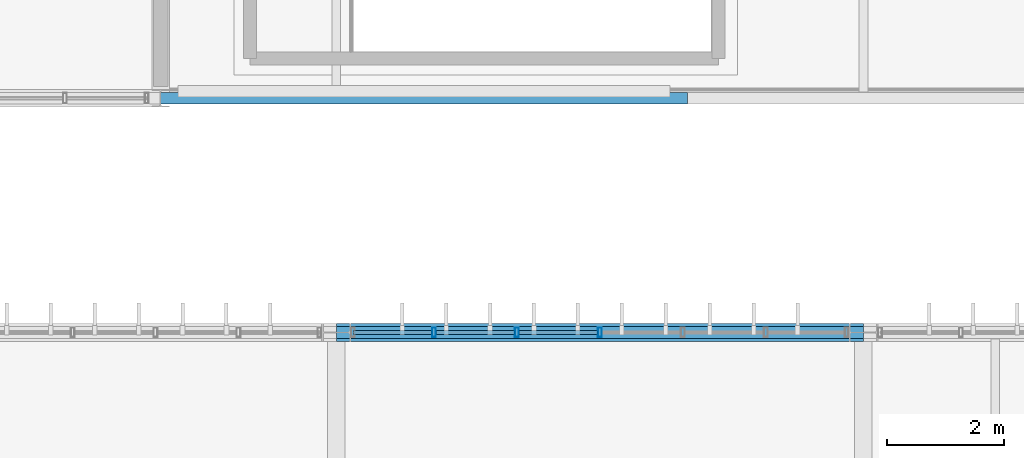
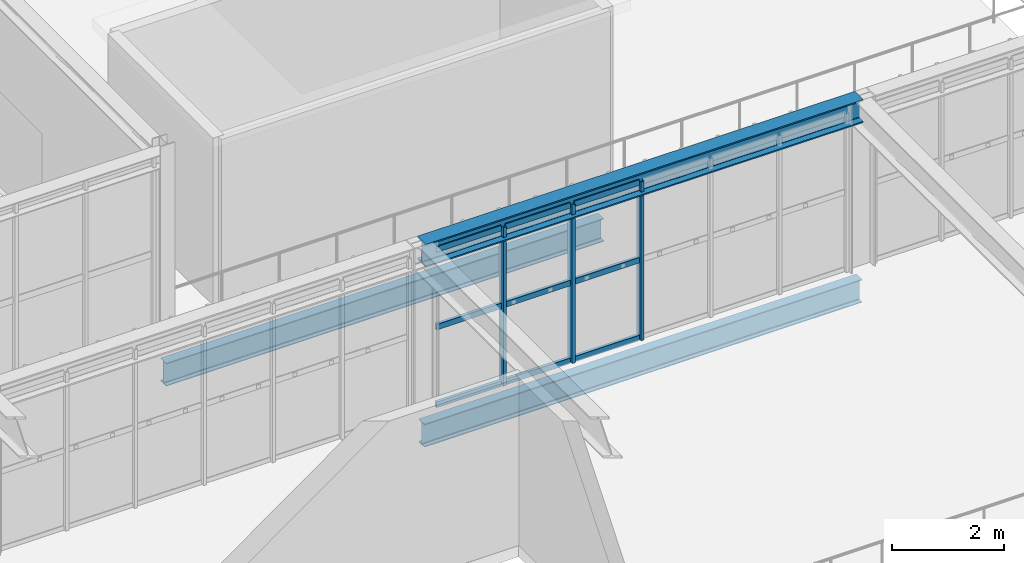
# One storey, part 68 of 152: 12 members, 3 beams, 1 element without a shape of its own.
"""IFC4 building model written with IfcOpenShell, lengths in metres."""

from ifc_helpers import new_model, si_unit, derived_unit, direction, frame, origin, origin_2d, place, context, subcontext, project, spatial, hollow_rectangle, i_section, extrude, material, material_profile, profile_set, type_object, element, aggregate, save


model = new_model("IFC4")

# Units and contexts
model_context = context("Model", 3, precision=1e-05, world=origin(), true_north=direction((0.0, 1.0)))
body_context = subcontext(model_context, "Body", "Model", "MODEL_VIEW")
ifc_project = project(units=[si_unit("LENGTHUNIT", "METRE"), si_unit("AREAUNIT", "SQUARE_METRE"), si_unit("VOLUMEUNIT", "CUBIC_METRE"), si_unit("PLANEANGLEUNIT", "RADIAN"), si_unit("MASSUNIT", "GRAM", prefix="KILO"), si_unit("THERMODYNAMICTEMPERATUREUNIT", "KELVIN"), si_unit("TIMEUNIT", "SECOND"), derived_unit("THERMALTRANSMITTANCEUNIT", [(si_unit("MASSUNIT", "GRAM", prefix="KILO"), 1), (si_unit("THERMODYNAMICTEMPERATUREUNIT", "KELVIN"), -1), (si_unit("TIMEUNIT", "SECOND"), -3)])], contexts=[model_context])

# Site, building, storey
site_placement = place(None, origin())
site = spatial("IfcSite", under=ifc_project, at=site_placement, CompositionType="ELEMENT")
building_placement = place(site_placement, origin())
building = spatial("IfcBuilding", under=site, at=building_placement, Name="Cambertide Market Hall", CompositionType="ELEMENT")
storey_placement = place(building_placement, frame((0.0, 0.0, 5.39990234375)))
storey = spatial("IfcBuildingStorey", under=building, at=storey_placement, Name="L02", CompositionType="ELEMENT", Elevation=5.39990234375)

# Curtain wall, members
ifc_material_1 = material(Name="Marine Anodized Aluminium 6063-T6 AA25", Category="aluminium")
curtain_wall_type = type_object("IfcCurtainWallType", Name="Lantern Straight Upper Curtain Wall", PredefinedType="USERDEFINED", material=ifc_material_1)
curtain_wall_placement = place(storey_placement, origin())
curtain_wall = element("IfcCurtainWall", 1, at=curtain_wall_placement, inside=storey, type_object=curtain_wall_type, Name="Level 2 Curtain Wall CW-V1N-L02-6", ObjectType="UNITIZED CURTAIN WALL", PredefinedType="USERDEFINED")
ifc_material_2 = material(Name="Champagne Marine Anodized Aluminium 6063-T6 AA25", Category="aluminium")
ifc_material_profile_1 = material_profile(ifc_material_2, hollow_rectangle(XDim=0.06494140625, YDim=0.159912109375, WallThickness=0.00341796875, at=origin_2d()), Name="ALU MULLION 65x160")
ifc_profile_set_1 = profile_set([ifc_material_profile_1], Name="Champagne Marine Anodized Aluminium 6063-T6 AA25")
member_type_1 = type_object("IfcMemberType", Name="Curtain Wall Mullion ALU MULLION 65x160", PredefinedType="MULLION", material=ifc_profile_set_1)
member_1_placement = place(storey_placement, frame((88.666748046875, 92.0, 0.0), z_axis=(0.0, 0.0, 1.0), x_axis=(1.0, 0.0, 0.0)))
member_1 = element("IfcMember", 2, at=member_1_placement, type_object=member_type_1, Name="CW-V1N-L02-6 Mullion 2", PredefinedType="MULLION", context=body_context, shape_type="SweptSolid", body=[
    extrude(hollow_rectangle(XDim=0.06494140625, YDim=0.159912109375, WallThickness=0.00341796875, at=origin_2d()), origin(), (0.0, 0.0, 1.0), 3.4501953125),
])
member_2_placement = place(storey_placement, frame((90.083251953125, 92.0, 0.0), z_axis=(0.0, 0.0, 1.0), x_axis=(1.0, 0.0, 0.0)))
member_2 = element("IfcMember", 3, at=member_2_placement, type_object=member_type_1, Name="CW-V1N-L02-6 Mullion 3", PredefinedType="MULLION", context=body_context, shape_type="SweptSolid", body=[
    extrude(hollow_rectangle(XDim=0.06494140625, YDim=0.159912109375, WallThickness=0.00341796875, at=origin_2d()), origin(), (0.0, 0.0, 1.0), 3.4501953125),
])
member_3_placement = place(storey_placement, frame((91.5, 92.0, 0.0), z_axis=(0.0, 0.0, 1.0), x_axis=(1.0, 0.0, 0.0)))
member_3 = element("IfcMember", 4, at=member_3_placement, type_object=member_type_1, Name="CW-V1N-L02-6 Mullion 4", PredefinedType="MULLION", context=body_context, shape_type="SweptSolid", body=[
    extrude(hollow_rectangle(XDim=0.06494140625, YDim=0.159912109375, WallThickness=0.00341796875, at=origin_2d()), origin(), (0.0, 0.0, 1.0), 3.4501953125),
])
ifc_material_3 = material(Name="Champagne Marine Anodized Aluminium 6063-T6 AA25", Category="aluminium")
ifc_material_profile_2 = material_profile(ifc_material_3, hollow_rectangle(XDim=0.06494140625, YDim=0.1201171875, WallThickness=0.003173828125, at=origin_2d()), Name="ALU TRANSOM 65x120")
ifc_profile_set_2 = profile_set([ifc_material_profile_2], Name="Champagne Marine Anodized Aluminium 6063-T6 AA25")
member_type_2 = type_object("IfcMemberType", Name="Curtain Wall Transom ALU TRANSOM 65x120", PredefinedType="USERDEFINED", material=ifc_profile_set_2)
member_4_placement = place(storey_placement, frame((87.2900390625, 92.0, 0.03515625), z_axis=(1.0, 0.0, 0.0), x_axis=(0.0, 1.0, 0.0)))
member_4 = element("IfcMember", 5, at=member_4_placement, type_object=member_type_2, Name="CW-V1N-L02-6 Transom 1-1", ObjectType="TRANSOM", PredefinedType="USERDEFINED", context=body_context, shape_type="SweptSolid", body=[
    extrude(hollow_rectangle(XDim=0.06494140625, YDim=0.1201171875, WallThickness=0.003173828125, at=origin_2d()), origin(), (0.0, 0.0, 1.0), 1.336669921875),
])
member_5_placement = place(storey_placement, frame((88.706787109375, 92.0, 0.03515625), z_axis=(1.0, 0.0, 0.0), x_axis=(0.0, 1.0, 0.0)))
member_5 = element("IfcMember", 6, at=member_5_placement, type_object=member_type_2, Name="CW-V1N-L02-6 Transom 1-2", ObjectType="TRANSOM", PredefinedType="USERDEFINED", context=body_context, shape_type="SweptSolid", body=[
    extrude(hollow_rectangle(XDim=0.06494140625, YDim=0.1201171875, WallThickness=0.003173828125, at=origin_2d()), origin(), (0.0, 0.0, 1.0), 1.33642578125),
])
member_6_placement = place(storey_placement, frame((90.123291015625, 92.0, 0.03515625), z_axis=(1.0, 0.0, 0.0), x_axis=(0.0, 1.0, 0.0)))
member_6 = element("IfcMember", 7, at=member_6_placement, type_object=member_type_2, Name="CW-V1N-L02-6 Transom 1-3", ObjectType="TRANSOM", PredefinedType="USERDEFINED", context=body_context, shape_type="SweptSolid", body=[
    extrude(hollow_rectangle(XDim=0.06494140625, YDim=0.1201171875, WallThickness=0.003173828125, at=origin_2d()), origin(), (0.0, 0.0, 1.0), 1.336669921875),
])
member_7_placement = place(storey_placement, frame((87.2900390625, 92.0, 1.72509765625), z_axis=(1.0, 0.0, 0.0), x_axis=(0.0, 1.0, 0.0)))
member_7 = element("IfcMember", 8, at=member_7_placement, type_object=member_type_2, Name="CW-V1N-L02-6 Transom 2-1", ObjectType="TRANSOM", PredefinedType="USERDEFINED", context=body_context, shape_type="SweptSolid", body=[
    extrude(hollow_rectangle(XDim=0.06494140625, YDim=0.1201171875, WallThickness=0.003173828125, at=origin_2d()), origin(), (0.0, 0.0, 1.0), 1.336669921875),
])
member_8_placement = place(storey_placement, frame((88.706787109375, 92.0, 1.72509765625), z_axis=(1.0, 0.0, 0.0), x_axis=(0.0, 1.0, 0.0)))
member_8 = element("IfcMember", 9, at=member_8_placement, type_object=member_type_2, Name="CW-V1N-L02-6 Transom 2-2", ObjectType="TRANSOM", PredefinedType="USERDEFINED", context=body_context, shape_type="SweptSolid", body=[
    extrude(hollow_rectangle(XDim=0.06494140625, YDim=0.1201171875, WallThickness=0.003173828125, at=origin_2d()), origin(), (0.0, 0.0, 1.0), 1.33642578125),
])
member_9_placement = place(storey_placement, frame((90.123291015625, 92.0, 1.72509765625), z_axis=(1.0, 0.0, 0.0), x_axis=(0.0, 1.0, 0.0)))
member_9 = element("IfcMember", 10, at=member_9_placement, type_object=member_type_2, Name="CW-V1N-L02-6 Transom 2-3", ObjectType="TRANSOM", PredefinedType="USERDEFINED", context=body_context, shape_type="SweptSolid", body=[
    extrude(hollow_rectangle(XDim=0.06494140625, YDim=0.1201171875, WallThickness=0.003173828125, at=origin_2d()), origin(), (0.0, 0.0, 1.0), 1.336669921875),
])
member_10_placement = place(storey_placement, frame((87.2900390625, 92.0, 3.4150390625), z_axis=(1.0, 0.0, 0.0), x_axis=(0.0, 1.0, 0.0)))
member_10 = element("IfcMember", 11, at=member_10_placement, type_object=member_type_2, Name="CW-V1N-L02-6 Transom 3-1", ObjectType="TRANSOM", PredefinedType="USERDEFINED", context=body_context, shape_type="SweptSolid", body=[
    extrude(hollow_rectangle(XDim=0.06494140625, YDim=0.1201171875, WallThickness=0.003173828125, at=origin_2d()), origin(), (0.0, 0.0, 1.0), 1.336669921875),
])
member_11_placement = place(storey_placement, frame((88.706787109375, 92.0, 3.4150390625), z_axis=(1.0, 0.0, 0.0), x_axis=(0.0, 1.0, 0.0)))
member_11 = element("IfcMember", 12, at=member_11_placement, type_object=member_type_2, Name="CW-V1N-L02-6 Transom 3-2", ObjectType="TRANSOM", PredefinedType="USERDEFINED", context=body_context, shape_type="SweptSolid", body=[
    extrude(hollow_rectangle(XDim=0.06494140625, YDim=0.1201171875, WallThickness=0.003173828125, at=origin_2d()), origin(), (0.0, 0.0, 1.0), 1.33642578125),
])
member_12_placement = place(storey_placement, frame((90.123291015625, 92.0, 3.4150390625), z_axis=(1.0, 0.0, 0.0), x_axis=(0.0, 1.0, 0.0)))
member_12 = element("IfcMember", 13, at=member_12_placement, type_object=member_type_2, Name="CW-V1N-L02-6 Transom 3-3", ObjectType="TRANSOM", PredefinedType="USERDEFINED", context=body_context, shape_type="SweptSolid", body=[
    extrude(hollow_rectangle(XDim=0.06494140625, YDim=0.1201171875, WallThickness=0.003173828125, at=origin_2d()), origin(), (0.0, 0.0, 1.0), 1.336669921875),
])
aggregate(curtain_wall, [member_1, member_2, member_3, member_4, member_5, member_6, member_7, member_8, member_9, member_10, member_11, member_12])

# Beams
ifc_material_4 = material(Name="Steel S355", Category="steel")
ifc_material_profile_3 = material_profile(ifc_material_4, i_section(OverallWidth=0.300048828125, OverallDepth=0.5, WebThickness=0.014404296875, FlangeThickness=0.028076171875, FilletRadius=0.027099609375, at=origin_2d()), Name="HEB 500")
ifc_profile_set_3 = profile_set([ifc_material_profile_3], Name="Steel S355")
beam_type_1 = type_object("IfcBeamType", Name="Exterior Steel Girder HEB 500", PredefinedType="BEAM", material=ifc_profile_set_3)
beam_1_placement = place(storey_placement, frame((87.0, 92.0, 3.4501953125), z_axis=(1.0, 0.0, 0.0), x_axis=(0.0, 1.0, 0.0)))
element("IfcBeam", 14, at=beam_1_placement, inside=storey, type_object=beam_type_1, Name="Level 2 Beam EAVE-V1N-6", PredefinedType="BEAM", context=body_context, shape_type="SweptSolid", body=[
    extrude(i_section(OverallWidth=0.300048828125, OverallDepth=0.5, WebThickness=0.014404296875, FlangeThickness=0.028076171875, FilletRadius=0.027099609375, at=origin_2d()), origin(), (0.0, 0.0, 1.0), 9.0),
])
ifc_material_5 = material(Name="Steel S355", Category="steel")
ifc_material_profile_4 = material_profile(ifc_material_5, i_section(OverallWidth=0.199951171875, OverallDepth=0.5, WebThickness=0.01025390625, FlangeThickness=0.01611328125, FilletRadius=0.02099609375, at=origin_2d()), Name="IPE 500")
ifc_profile_set_4 = profile_set([ifc_material_profile_4], Name="Steel S355")
beam_type_2 = type_object("IfcBeamType", Name="Perimeter Spandrel Beam IPE 500", PredefinedType="SPANDREL", material=ifc_profile_set_4)
beam_2_placement = place(storey_placement, frame((87.0, 92.0, -0.489990234375), z_axis=(1.0, 0.0, 0.0), x_axis=(0.0, 1.0, 0.0)))
element("IfcBeam", 15, at=beam_2_placement, inside=storey, type_object=beam_type_2, Name="Level 2 Spandrel BM-V1N-L02-6", PredefinedType="SPANDREL", context=body_context, shape_type="SweptSolid", body=[
    extrude(i_section(OverallWidth=0.199951171875, OverallDepth=0.5, WebThickness=0.01025390625, FlangeThickness=0.01611328125, FilletRadius=0.02099609375, at=origin_2d()), origin(), (0.0, 0.0, 1.0), 9.0),
])
ifc_material_6 = material(Name="Steel S355", Category="steel")
ifc_material_profile_5 = material_profile(ifc_material_6, i_section(OverallWidth=0.199951171875, OverallDepth=0.5, WebThickness=0.01025390625, FlangeThickness=0.01611328125, FilletRadius=0.02099609375, at=origin_2d()), Name="IPE 500")
ifc_profile_set_5 = profile_set([ifc_material_profile_5], Name="Steel S355")
beam_type_3 = type_object("IfcBeamType", Name="Steel Girder IPE 500", PredefinedType="BEAM", material=ifc_profile_set_5)
beam_3_placement = place(storey_placement, frame((84.0, 96.0, -0.539794921875), z_axis=(1.0, 0.0, 0.0), x_axis=(0.0, 1.0, 0.0)))
element("IfcBeam", 16, at=beam_3_placement, inside=storey, type_object=beam_type_3, Name="Level 2 Beam BM-V2X-L02-9-1", PredefinedType="BEAM", context=body_context, shape_type="SweptSolid", body=[
    extrude(i_section(OverallWidth=0.199951171875, OverallDepth=0.5, WebThickness=0.01025390625, FlangeThickness=0.01611328125, FilletRadius=0.02099609375, at=origin_2d()), origin(), (0.0, 0.0, 1.0), 9.0),
])

save(model, "model.ifc")
